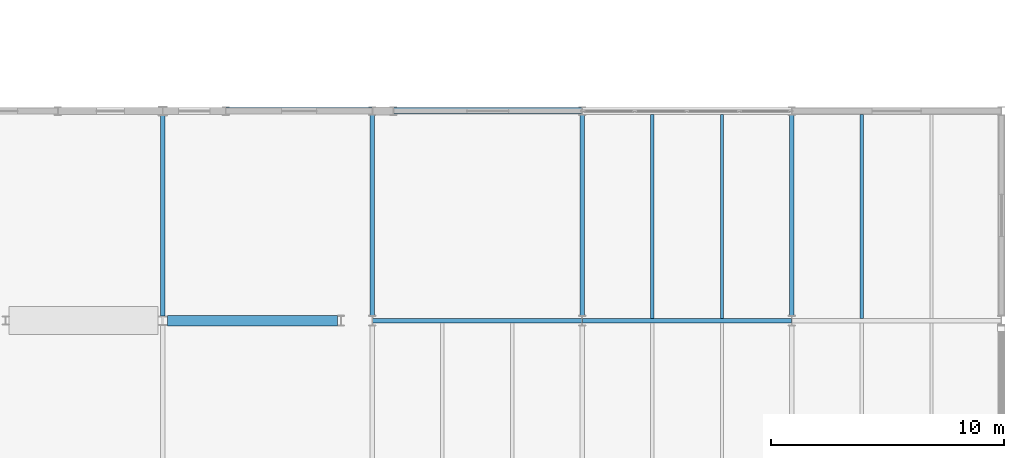
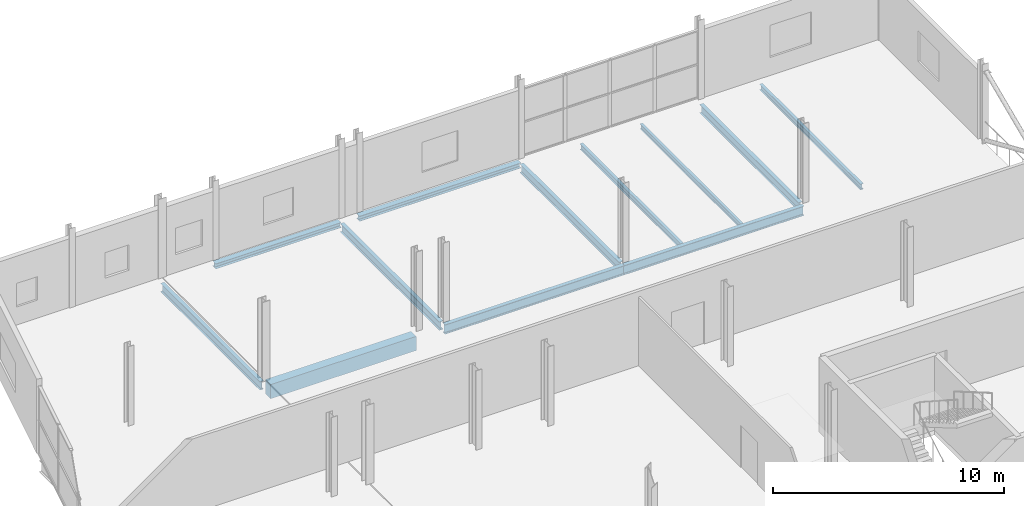
# One storey, part 97 of 132: 12 beams.
"""IFC4 building model written with IfcOpenShell, lengths in metres."""

from ifc_helpers import new_model, si_unit, direction, frame, origin, origin_2d, place, context, subcontext, project, spatial, rectangle, i_section, extrude, material, material_profile, profile_set, type_object, element, save


model = new_model("IFC4")

# Units and contexts
model_context = context("Model", 3, precision=1e-05, world=origin(), true_north=direction((0.0, 1.0)))
body_context = subcontext(model_context, "Body", "Model", "MODEL_VIEW")
ifc_project = project(units=[si_unit("LENGTHUNIT", "METRE"), si_unit("AREAUNIT", "SQUARE_METRE"), si_unit("VOLUMEUNIT", "CUBIC_METRE"), si_unit("PLANEANGLEUNIT", "RADIAN"), si_unit("MASSUNIT", "GRAM", prefix="KILO")], contexts=[model_context])

# Site, building, storey
site_placement = place(None, origin())
site = spatial("IfcSite", under=ifc_project, at=site_placement, CompositionType="ELEMENT")
building_placement = place(site_placement, origin())
building = spatial("IfcBuilding", under=site, at=building_placement, Name="Deido Ridge Mobility Hub", CompositionType="ELEMENT")
storey_placement = place(building_placement, frame((0.0, 0.0, 8.39990234375)))
storey = spatial("IfcBuildingStorey", under=building, at=storey_placement, Name="L02", CompositionType="ELEMENT", Elevation=8.39990234375)

# Beams
ifc_material_1 = material(Name="Steel S355J2 EN 10025-2", Category="steel")
ifc_material_profile_1 = material_profile(ifc_material_1, i_section(OverallWidth=0.18994140625, OverallDepth=0.449951171875, WebThickness=0.009521484375, FlangeThickness=0.0146484375, FilletRadius=0.02099609375, at=origin_2d()), Name="IPE 450")
ifc_profile_set_1 = profile_set([ifc_material_profile_1], Name="Steel S355J2 EN 10025-2")
beam_type_1 = type_object("IfcBeamType", Name="BM-IPE450", PredefinedType="BEAM", material=ifc_profile_set_1)
beam_1_placement = place(storey_placement, frame((144.0, 63.196533203125, -0.47998046875), z_axis=(0.0, 1.0, 0.0), x_axis=(-1.0, 0.0, 0.0)))
element("IfcBeam", 1, at=beam_1_placement, inside=storey, type_object=beam_type_1, Name="Floor beam B4", PredefinedType="BEAM", context=body_context, shape_type="SweptSolid", body=[
    extrude(i_section(OverallWidth=0.18994140625, OverallDepth=0.449951171875, WebThickness=0.009521484375, FlangeThickness=0.0146484375, FilletRadius=0.02099609375, at=origin_2d()), origin(), (0.0, 0.0, 1.0), 8.60693359375),
])
for number, where, z_axis, x_axis, name in (
    (2, (153.0, 63.22509765625, -0.47998046875), (0.0, 1.0, 0.0), (-1.0, 0.0, 0.0), "Floor beam B4"),
    (3, (162.0, 63.22509765625, -0.47998046875), (0.0, 1.0, 0.0), (-1.0, 0.0, 0.0), "Floor beam B4"),
    (4, (171.0, 63.22509765625, -0.47998046875), (0.0, 1.0, 0.0), (-1.0, 0.0, 0.0), "Floor beam B4"),
):
    element("IfcBeam", number, at=place(storey_placement, frame(where, z_axis=z_axis, x_axis=x_axis)), inside=storey, type_object=beam_type_1, Name=name, PredefinedType="BEAM", context=body_context, shape_type="SweptSolid", body=[
        extrude(i_section(OverallWidth=0.18994140625, OverallDepth=0.449951171875, WebThickness=0.009521484375, FlangeThickness=0.0146484375, FilletRadius=0.02099609375, at=origin_2d()), origin(), (0.0, 0.0, 1.0), 8.594970703125),
    ])
ifc_material_profile_2 = material_profile(ifc_material_1, i_section(OverallWidth=0.199951171875, OverallDepth=0.5, WebThickness=0.01025390625, FlangeThickness=0.01611328125, FilletRadius=0.02099609375, at=origin_2d()), Name="IPE 500")
ifc_profile_set_2 = profile_set([ifc_material_profile_2], Name="Steel S355J2 EN 10025-2")
beam_type_2 = type_object("IfcBeamType", Name="BM-IPE500", PredefinedType="BEAM", material=ifc_profile_set_2)
for number, where, z_axis, x_axis, name in (
    (5, (153.007080078125, 63.0, -0.5048828125), (1.0, 0.0, 0.0), (0.0, 1.0, 0.0), "Floor beam B3"),
    (6, (162.007080078125, 63.0, -0.5048828125), (1.0, 0.0, 0.0), (0.0, 1.0, 0.0), "Floor beam B3"),
):
    element("IfcBeam", number, at=place(storey_placement, frame(where, z_axis=z_axis, x_axis=x_axis)), inside=storey, type_object=beam_type_2, Name=name, PredefinedType="BEAM", context=body_context, shape_type="SweptSolid", body=[
        extrude(i_section(OverallWidth=0.199951171875, OverallDepth=0.5, WebThickness=0.01025390625, FlangeThickness=0.01611328125, FilletRadius=0.02099609375, at=origin_2d()), origin(), (0.0, 0.0, 1.0), 8.98583984375),
    ])
ifc_material_2 = material(Name="Concrete C40/50", Category="concrete")
ifc_material_profile_3 = material_profile(ifc_material_2, rectangle(XDim=0.449951171875, YDim=0.75, at=origin_2d()), Name="RC BEAM 450x750")
ifc_profile_set_3 = profile_set([ifc_material_profile_3], Name="Concrete C40/50")
beam_type_3 = type_object("IfcBeamType", Name="BM-RC450X750", PredefinedType="BEAM", material=ifc_profile_set_3)
beam_2_placement = place(storey_placement, frame((144.199462890625, 63.0, -0.6298828125), z_axis=(1.0, 0.0, 0.0), x_axis=(0.0, 1.0, 0.0)))
element("IfcBeam", 7, at=beam_2_placement, inside=storey, type_object=beam_type_3, Name="Concrete plant girder RCB1", PredefinedType="BEAM", context=body_context, shape_type="SweptSolid", body=[
    extrude(rectangle(XDim=0.449951171875, YDim=0.75, at=origin_2d()), origin(), (0.0, 0.0, 1.0), 7.300537109375),
])
ifc_material_profile_4 = material_profile(ifc_material_1, i_section(OverallWidth=0.135009765625, OverallDepth=0.27001953125, WebThickness=0.006591796875, FlangeThickness=0.01025390625, FilletRadius=0.014892578125, at=origin_2d()), Name="IPE 270")
ifc_profile_set_4 = profile_set([ifc_material_profile_4], Name="Steel S355J2 EN 10025-2")
beam_type_4 = type_object("IfcBeamType", Name="JST-IPE270", PredefinedType="JOIST", material=ifc_profile_set_4)
beam_3_placement = place(storey_placement, frame((168.0, 63.10009765625, -0.389892578125), z_axis=(0.0, 1.0, 0.0), x_axis=(-1.0, 0.0, 0.0)))
element("IfcBeam", 8, at=beam_3_placement, inside=storey, type_object=beam_type_4, Name="Composite joist J4", PredefinedType="JOIST", context=body_context, shape_type="SweptSolid", body=[
    extrude(i_section(OverallWidth=0.135009765625, OverallDepth=0.27001953125, WebThickness=0.006591796875, FlangeThickness=0.01025390625, FilletRadius=0.014892578125, at=origin_2d()), origin(), (0.0, 0.0, 1.0), 8.75),
])
ifc_material_profile_5 = material_profile(ifc_material_1, i_section(OverallWidth=0.14990234375, OverallDepth=0.300048828125, WebThickness=0.007080078125, FlangeThickness=0.0107421875, FilletRadius=0.014892578125, at=origin_2d()), Name="IPE 300")
ifc_profile_set_5 = profile_set([ifc_material_profile_5], Name="Steel S355J2 EN 10025-2")
beam_type_5 = type_object("IfcBeamType", Name="JST-IPE300", PredefinedType="JOIST", material=ifc_profile_set_5)
for number, where, z_axis, x_axis, name in (
    (9, (165.0, 63.10009765625, -0.40478515625), (0.0, 1.0, 0.0), (-1.0, 0.0, 0.0), "Composite joist J3"),
    (10, (174.0, 63.10009765625, -0.40478515625), (0.0, 1.0, 0.0), (-1.0, 0.0, 0.0), "Composite joist J3"),
):
    element("IfcBeam", number, at=place(storey_placement, frame(where, z_axis=z_axis, x_axis=x_axis)), inside=storey, type_object=beam_type_5, Name=name, PredefinedType="JOIST", context=body_context, shape_type="SweptSolid", body=[
        extrude(i_section(OverallWidth=0.14990234375, OverallDepth=0.300048828125, WebThickness=0.007080078125, FlangeThickness=0.0107421875, FilletRadius=0.014892578125, at=origin_2d()), origin(), (0.0, 0.0, 1.0), 8.75),
    ])
ifc_material_profile_6 = material_profile(ifc_material_1, i_section(OverallWidth=0.280029296875, OverallDepth=0.27001953125, WebThickness=0.008056640625, FlangeThickness=0.012939453125, FilletRadius=0.02392578125, at=origin_2d()), Name="HEA 280")
ifc_profile_set_6 = profile_set([ifc_material_profile_6], Name="Steel S355J2 EN 10025-2")
beam_type_6 = type_object("IfcBeamType", Name="SPD-HEA280", PredefinedType="SPANDREL", material=ifc_profile_set_6)
beam_4_placement = place(storey_placement, frame((146.706298828125, 72.0, -0.389892578125), z_axis=(1.0, 0.0, 0.0), x_axis=(0.0, 1.0, 0.0)))
element("IfcBeam", 11, at=beam_4_placement, inside=storey, type_object=beam_type_6, Name="Floor beam SP2", PredefinedType="SPANDREL", context=body_context, shape_type="SweptSolid", body=[
    extrude(i_section(OverallWidth=0.280029296875, OverallDepth=0.27001953125, WebThickness=0.008056640625, FlangeThickness=0.012939453125, FilletRadius=0.02392578125, at=origin_2d()), origin(), (0.0, 0.0, 1.0), 6.28759765625),
])
beam_5_placement = place(storey_placement, frame((153.90625, 72.0, -0.389892578125), z_axis=(1.0, 0.0, 0.0), x_axis=(0.0, 1.0, 0.0)))
element("IfcBeam", 12, at=beam_5_placement, inside=storey, type_object=beam_type_6, Name="Floor beam SP2", PredefinedType="SPANDREL", context=body_context, shape_type="SweptSolid", body=[
    extrude(i_section(OverallWidth=0.280029296875, OverallDepth=0.27001953125, WebThickness=0.008056640625, FlangeThickness=0.012939453125, FilletRadius=0.02392578125, at=origin_2d()), origin(), (0.0, 0.0, 1.0), 8.087646484375),
])

save(model, "model.ifc")
